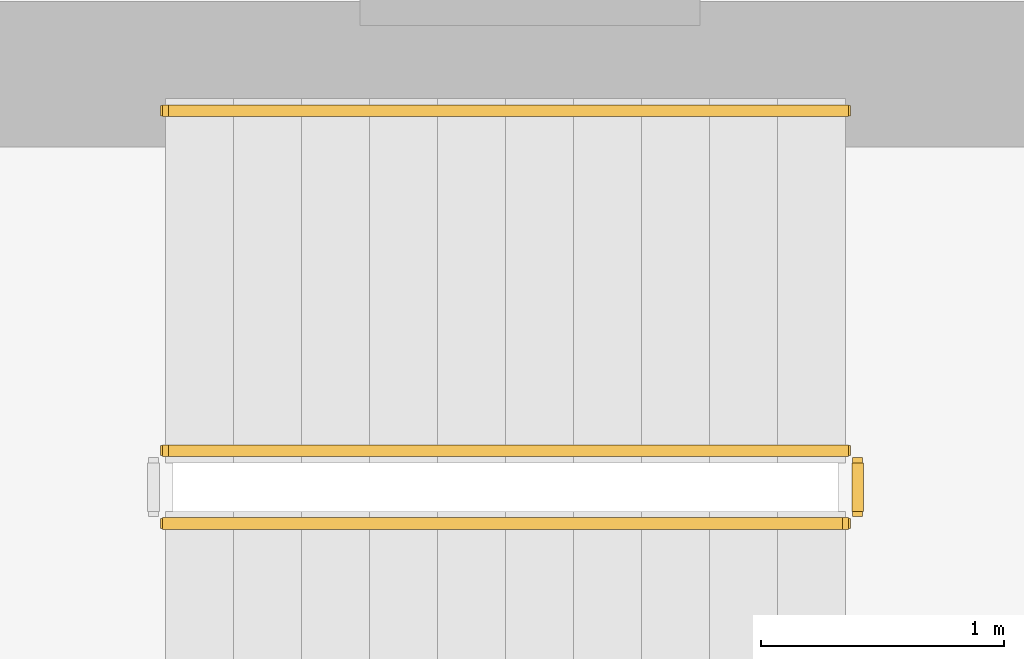
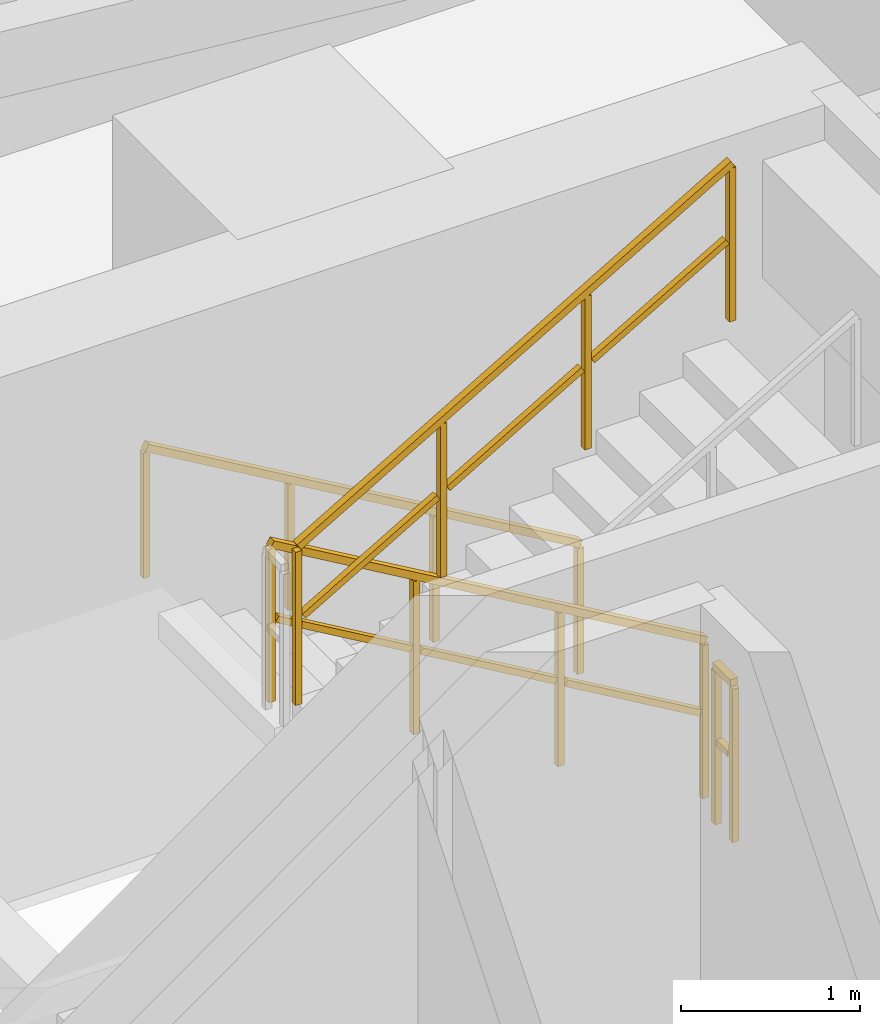
# One storey, part 32 of 34: 4 railings.
"""IFC4 building model written with IfcOpenShell, lengths in metres."""

from ifc_helpers import new_model, si_unit, direction, frame, origin, origin_2d, place, context, subcontext, project, spatial, rectangle, extrude, material, type_object, element, save


model = new_model("IFC4")

# Units and contexts
model_context = context("Model", 3, precision=1e-05, world=origin(), true_north=direction((0.0, 1.0)))
body_context = subcontext(model_context, "Body", "Model", "MODEL_VIEW")
ifc_project = project(units=[si_unit("LENGTHUNIT", "METRE"), si_unit("AREAUNIT", "SQUARE_METRE"), si_unit("VOLUMEUNIT", "CUBIC_METRE"), si_unit("PLANEANGLEUNIT", "RADIAN"), si_unit("MASSUNIT", "GRAM", prefix="KILO")], contexts=[model_context])

# Site, building, storey
site_placement = place(None, origin())
site = spatial("IfcSite", under=ifc_project, at=site_placement, CompositionType="ELEMENT")
building_placement = place(site_placement, origin())
building = spatial("IfcBuilding", under=site, at=building_placement, Name="Thornwick Lancets Civic Towers", CompositionType="ELEMENT")
storey_placement = place(building_placement, frame((0.0, 0.0, 60.89990234375)))
storey = spatial("IfcBuildingStorey", under=building, at=storey_placement, Name="L15", CompositionType="ELEMENT", Elevation=60.89990234375)

# Railings
ifc_material_1 = material(Name="Brushed stainless steel S355", Category="steel")
railing_type_1 = type_object("IfcRailingType", Name="RAIL_HANDRAIL", PredefinedType="HANDRAIL", material=ifc_material_1)
railing_1_placement = place(storey_placement, frame((31.60009765625, 38.949951171875, 0.163818359375)))
element("IfcRailing", 1, at=railing_1_placement, inside=storey, type_object=railing_type_1, Name="L15 ST-A2 stair handrail 1", PredefinedType="HANDRAIL", context=body_context, shape_type="SweptSolid", body=[
    extrude(rectangle(XDim=0.048095703125, YDim=0.048095703125, at=origin_2d()), frame((0.0, 0.0, 0.8857421875), z_axis=(-0.863393664356, 0.0, 0.504530851732), x_axis=(0.0, -1.0, 0.0)), (0.0, 0.0, 1.0), 3.2431640625),
    extrude(rectangle(XDim=0.0419921875, YDim=0.0419921875, at=origin_2d()), origin(), (0.0, 0.0, 1.0), 0.855712890625),
    extrude(rectangle(XDim=0.0419921875, YDim=0.0419921875, at=origin_2d()), frame((-0.933349609375, 0.0, 0.54541015625)), (0.0, 0.0, 1.0), 0.855712890625),
    extrude(rectangle(XDim=0.0419921875, YDim=0.0419921875, at=origin_2d()), frame((-1.86669921875, 0.0, 1.0908203125)), (0.0, 0.0, 1.0), 0.855712890625),
    extrude(rectangle(XDim=0.0419921875, YDim=0.0419921875, at=origin_2d()), frame((-2.800048828125, 0.0, 1.63623046875)), (0.0, 0.0, 1.0), 0.855712890625),
])
ifc_material_2 = material(Name="Steel S355JR", Category="steel")
railing_type_2 = type_object("IfcRailingType", Name="RAIL_STAIR_GUARD", PredefinedType="GUARDRAIL", material=ifc_material_2)
railing_2_placement = place(storey_placement, frame((31.60009765625, 37.550048828125, 0.163818359375)))
element("IfcRailing", 2, at=railing_2_placement, inside=storey, type_object=railing_type_2, Name="L15 ST-A2 stair guard 1", PredefinedType="GUARDRAIL", context=body_context, shape_type="SweptSolid", body=[
    extrude(rectangle(XDim=0.048095703125, YDim=0.048095703125, at=origin_2d()), frame((0.0, 0.0, 1.076171875), z_axis=(-0.863393664356, 0.0, 0.504530851732), x_axis=(0.0, -1.0, 0.0)), (0.0, 0.0, 1.0), 3.2431640625),
    extrude(rectangle(XDim=0.0419921875, YDim=0.0419921875, at=origin_2d()), frame((-0.032470703125, 0.0, 0.591064453125), z_axis=(-0.863393664356, 0.0, 0.504530851732), x_axis=(0.0, -1.0, 0.0)), (0.0, 0.0, 1.0), 1.006103515625),
    extrude(rectangle(XDim=0.0419921875, YDim=0.0419921875, at=origin_2d()), frame((-0.9658203125, 0.0, 1.136474609375), z_axis=(-0.863393664356, 0.0, 0.504530851732), x_axis=(0.0, -1.0, 0.0)), (0.0, 0.0, 1.0), 1.006103515625),
    extrude(rectangle(XDim=0.0419921875, YDim=0.0419921875, at=origin_2d()), frame((-1.899169921875, 0.0, 1.681884765625), z_axis=(-0.863393664356, 0.0, 0.504530851732), x_axis=(0.0, -1.0, 0.0)), (0.0, 0.0, 1.0), 1.006103515625),
    extrude(rectangle(XDim=0.0419921875, YDim=0.0419921875, at=origin_2d()), origin(), (0.0, 0.0, 1.0), 1.0458984375),
    extrude(rectangle(XDim=0.0419921875, YDim=0.0419921875, at=origin_2d()), frame((-0.933349609375, 0.0, 0.54541015625)), (0.0, 0.0, 1.0), 1.0458984375),
    extrude(rectangle(XDim=0.0419921875, YDim=0.0419921875, at=origin_2d()), frame((-1.86669921875, 0.0, 1.0908203125)), (0.0, 0.0, 1.0), 1.0458984375),
    extrude(rectangle(XDim=0.0419921875, YDim=0.0419921875, at=origin_2d()), frame((-2.800048828125, 0.0, 1.63623046875)), (0.0, 0.0, 1.0), 1.0458984375),
])
railing_3_placement = place(storey_placement, frame((28.800048828125, 37.25, 1.963623046875)))
element("IfcRailing", 3, at=railing_3_placement, inside=storey, type_object=railing_type_2, Name="L15 ST-A2 stair guard 3", PredefinedType="GUARDRAIL", context=body_context, shape_type="SweptSolid", body=[
    extrude(rectangle(XDim=0.048095703125, YDim=0.048095703125, at=origin_2d()), frame((0.0, 0.0, 1.076171875), z_axis=(0.863360870873, 0.0, 0.504586966384), x_axis=(0.0, 1.0, 0.0)), (0.0, 0.0, 1.0), 3.2431640625),
    extrude(rectangle(XDim=0.0419921875, YDim=0.0419921875, at=origin_2d()), frame((0.032470703125, 0.0, 0.591064453125), z_axis=(0.863360870873, 0.0, 0.504586966384), x_axis=(0.0, 1.0, 0.0)), (0.0, 0.0, 1.0), 1.006103515625),
    extrude(rectangle(XDim=0.0419921875, YDim=0.0419921875, at=origin_2d()), frame((0.9658203125, 0.0, 1.136474609375), z_axis=(0.863360870873, 0.0, 0.504586966384), x_axis=(0.0, 1.0, 0.0)), (0.0, 0.0, 1.0), 1.006103515625),
    extrude(rectangle(XDim=0.0419921875, YDim=0.0419921875, at=origin_2d()), frame((1.899169921875, 0.0, 1.681884765625), z_axis=(0.863360870873, 0.0, 0.504586966384), x_axis=(0.0, 1.0, 0.0)), (0.0, 0.0, 1.0), 1.006103515625),
    extrude(rectangle(XDim=0.0419921875, YDim=0.0419921875, at=origin_2d()), origin(), (0.0, 0.0, 1.0), 1.0458984375),
    extrude(rectangle(XDim=0.0419921875, YDim=0.0419921875, at=origin_2d()), frame((0.933349609375, 0.0, 0.54541015625)), (0.0, 0.0, 1.0), 1.0458984375),
    extrude(rectangle(XDim=0.0419921875, YDim=0.0419921875, at=origin_2d()), frame((1.86669921875, 0.0, 1.091064453125)), (0.0, 0.0, 1.0), 1.0458984375),
    extrude(rectangle(XDim=0.0419921875, YDim=0.0419921875, at=origin_2d()), frame((2.800048828125, 0.0, 1.636474609375)), (0.0, 0.0, 1.0), 1.0458984375),
])
railing_4_placement = place(storey_placement, frame((31.64990234375, 37.5, 0.0)))
element("IfcRailing", 4, at=railing_4_placement, inside=storey, type_object=railing_type_2, Name="L15 ST-A2 stair guard 4", PredefinedType="GUARDRAIL", context=body_context, shape_type="SweptSolid", body=[
    extrude(rectangle(XDim=0.048095703125, YDim=0.048095703125, at=origin_2d()), frame((0.0, 0.0, 1.076171875), z_axis=(0.0, -1.0, 0.0), x_axis=(1.0, 0.0, 0.0)), (0.0, 0.0, 1.0), 0.199951171875),
    extrude(rectangle(XDim=0.0419921875, YDim=0.0419921875, at=origin_2d()), frame((0.0, -0.03759765625, 0.572021484375), z_axis=(0.0, -1.0, 0.0), x_axis=(1.0, 0.0, 0.0)), (0.0, 0.0, 1.0), 0.125),
    extrude(rectangle(XDim=0.0419921875, YDim=0.0419921875, at=origin_2d()), origin(), (0.0, 0.0, 1.0), 1.0458984375),
    extrude(rectangle(XDim=0.0419921875, YDim=0.0419921875, at=origin_2d()), frame((0.0, -0.199951171875, 0.0)), (0.0, 0.0, 1.0), 1.0458984375),
])

save(model, "model.ifc")
